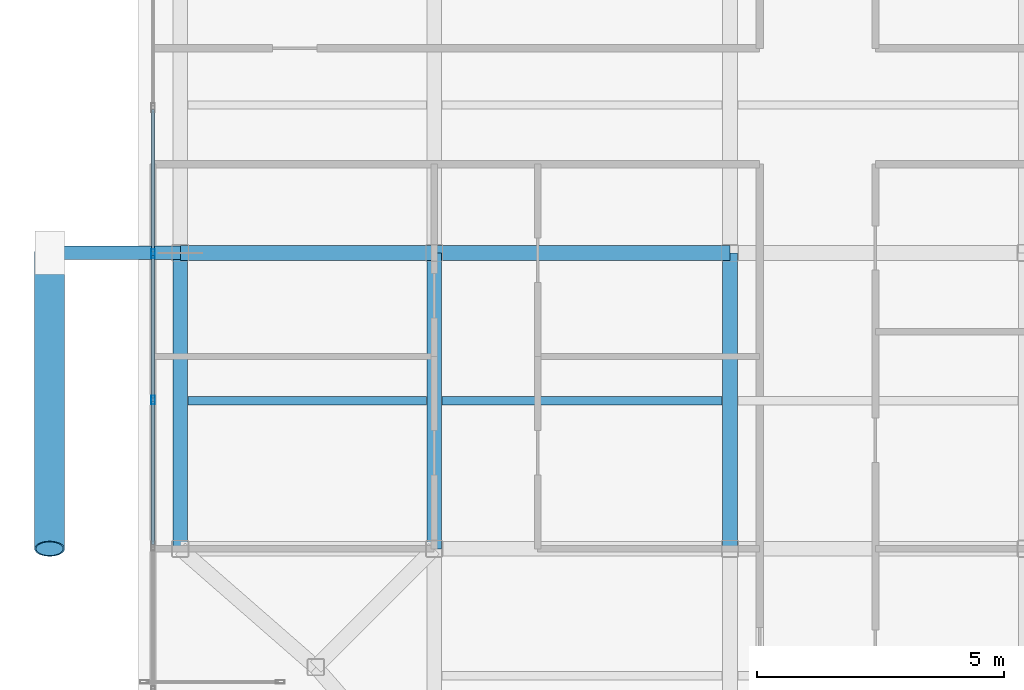
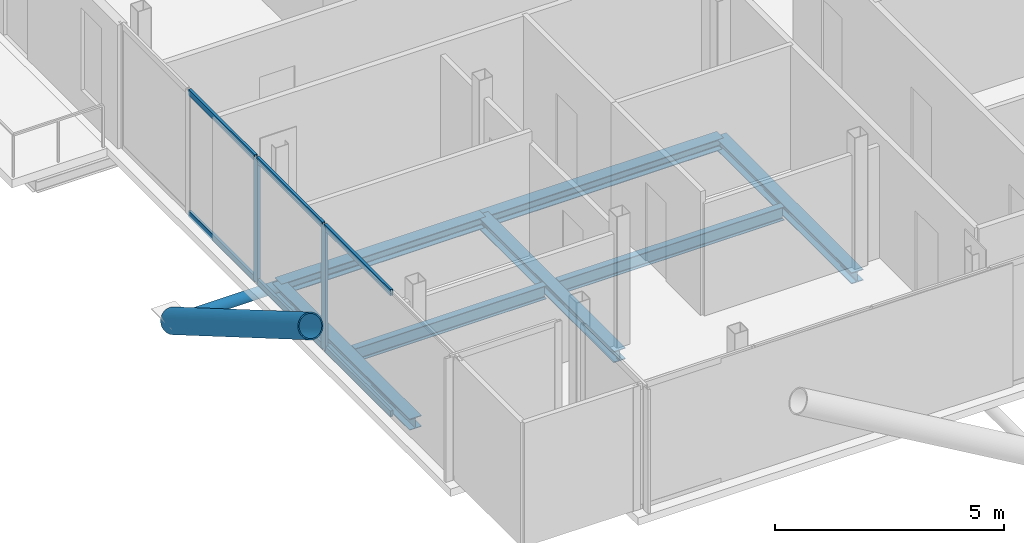
# One storey, part 3 of 18: 10 members, 7 beams, 1 element without a shape of its own.
"""IFC4 building model written with IfcOpenShell, lengths in metres."""

from ifc_helpers import new_model, si_unit, direction, frame, origin, origin_2d, place, context, subcontext, project, spatial, hollow_rectangle, hollow_circle, i_section, extrude, material, layer, layer_set, material_profile, profile_set, type_object, element, aggregate, save


model = new_model("IFC4")

# Units and contexts
model_context = context("Model", 3, precision=1e-05, world=origin(), true_north=direction((0.0, 1.0)))
body_context = subcontext(model_context, "Body", "Model", "MODEL_VIEW")
ifc_project = project(units=[si_unit("LENGTHUNIT", "METRE"), si_unit("AREAUNIT", "SQUARE_METRE"), si_unit("VOLUMEUNIT", "CUBIC_METRE"), si_unit("PLANEANGLEUNIT", "RADIAN"), si_unit("MASSUNIT", "GRAM", prefix="KILO"), si_unit("THERMODYNAMICTEMPERATUREUNIT", "KELVIN"), si_unit("POWERUNIT", "WATT")], contexts=[model_context])

# Site, building, storey
site_placement = place(None, origin())
site = spatial("IfcSite", under=ifc_project, at=site_placement, CompositionType="ELEMENT")
building_placement = place(site_placement, origin())
building = spatial("IfcBuilding", under=site, at=building_placement, Name="Svarakhadi Broadcast Tower", CompositionType="ELEMENT")
storey_placement = place(building_placement, frame((0.0, 0.0, 260.699951171875)))
storey = spatial("IfcBuildingStorey", under=building, at=storey_placement, Name="L65", CompositionType="ELEMENT", Elevation=260.699951171875)

# Beams
ifc_material_1 = material(Name="Steel S355J2 (IS 2062 E350C)", Category="steel")
ifc_material_profile_1 = material_profile(ifc_material_1, i_section(OverallWidth=0.169921875, OverallDepth=0.360107421875, WebThickness=0.008056640625, FlangeThickness=0.0126953125, FilletRadius=0.01806640625, at=origin_2d()), Name="NPB 360x170x57")
ifc_profile_set_1 = profile_set([ifc_material_profile_1], Name="Steel S355J2 (IS 2062 E350C)")
beam_type_1 = type_object("IfcBeamType", Name="Beam_NPB360", PredefinedType="BEAM", material=ifc_profile_set_1)
beam_1_placement = place(storey_placement, frame((1.010009765625, 9.0, -0.3798828125), z_axis=(1.0, 0.0, 0.0), x_axis=(0.0, 1.0, 0.0)))
element("IfcBeam", 1, at=beam_1_placement, inside=storey, type_object=beam_type_1, Name="L65 Secondary Composite Beam SB001", PredefinedType="BEAM", context=body_context, shape_type="SweptSolid", body=[
    extrude(i_section(OverallWidth=0.169921875, OverallDepth=0.360107421875, WebThickness=0.008056640625, FlangeThickness=0.0126953125, FilletRadius=0.01806640625, at=origin_2d()), origin(), (0.0, 0.0, 1.0), 4.830078125),
])
beam_2_placement = place(storey_placement, frame((6.159912109375, 9.0, -0.3798828125), z_axis=(1.0, 0.0, 0.0), x_axis=(0.0, 1.0, 0.0)))
element("IfcBeam", 2, at=beam_2_placement, inside=storey, type_object=beam_type_1, Name="L65 Secondary Composite Beam SB005", PredefinedType="BEAM", context=body_context, shape_type="SweptSolid", body=[
    extrude(i_section(OverallWidth=0.169921875, OverallDepth=0.360107421875, WebThickness=0.008056640625, FlangeThickness=0.0126953125, FilletRadius=0.01806640625, at=origin_2d()), origin(), (0.0, 0.0, 1.0), 5.68017578125),
])

# Curtain wall, members
ifc_material_2 = material(Name="Anodised Bronze Aluminium AA 6063-T6", Category="aluminium")
ifc_layer = layer(ifc_material_2, 0.179931640625)
ifc_layer_set = layer_set([ifc_layer], Name="Anodised Bronze Aluminium AA 6063-T6")
curtain_wall_type = type_object("IfcCurtainWallType", Name="CW_Sys_05", PredefinedType="NOTDEFINED", material=ifc_layer_set)
curtain_wall_placement = place(storey_placement, origin())
curtain_wall = element("IfcCurtainWall", 3, at=curtain_wall_placement, inside=storey, type_object=curtain_wall_type, Name="L65 West Curtain Wall 02", PredefinedType="NOTDEFINED")
ifc_material_profile_2 = material_profile(ifc_material_2, hollow_rectangle(XDim=0.070068359375, YDim=0.179931640625, WallThickness=0.005615234375, at=origin_2d()), Name="ALU MULLION 180x70x6")
ifc_profile_set_2 = profile_set([ifc_material_profile_2], Name="Anodised Bronze Aluminium AA 6063-T6")
member_type_1 = type_object("IfcMemberType", Name="CW_Sys_05_Mul", PredefinedType="MULLION", material=ifc_profile_set_2)
member_1_placement = place(storey_placement, frame((0.300048828125, 9.01806640625, 0.0), z_axis=(0.0, 0.0, 1.0), x_axis=(-1.0, 0.0, 0.0)))
member_1 = element("IfcMember", 4, at=member_1_placement, type_object=member_type_1, Name="CW-05 mullion 3", PredefinedType="MULLION", context=body_context, shape_type="SweptSolid", body=[
    extrude(hollow_rectangle(XDim=0.070068359375, YDim=0.179931640625, WallThickness=0.005615234375, at=origin_2d()), origin(), (0.0, 0.0, 1.0), 3.300048828125),
])
member_2_placement = place(storey_placement, frame((0.300048828125, 11.98193359375, 0.0), z_axis=(0.0, 0.0, 1.0), x_axis=(-1.0, 0.0, 0.0)))
member_2 = element("IfcMember", 5, at=member_2_placement, type_object=member_type_1, Name="CW-05 mullion 4", PredefinedType="MULLION", context=body_context, shape_type="SweptSolid", body=[
    extrude(hollow_rectangle(XDim=0.070068359375, YDim=0.179931640625, WallThickness=0.005615234375, at=origin_2d()), origin(), (0.0, 0.0, 1.0), 3.300048828125),
])
ifc_material_profile_3 = material_profile(ifc_material_2, hollow_rectangle(XDim=0.06494140625, YDim=0.1650390625, WallThickness=0.0048828125, at=origin_2d()), Name="ALU TRANSOM 165x65x5")
ifc_profile_set_3 = profile_set([ifc_material_profile_3], Name="Anodised Bronze Aluminium AA 6063-T6")
member_type_2 = type_object("IfcMemberType", Name="CW_Sys_05_Trn", PredefinedType="USERDEFINED", material=ifc_profile_set_3)
member_3_placement = place(storey_placement, frame((0.300048828125, 6.089111328125, 0.032470703125), z_axis=(0.0, 1.0, 0.0), x_axis=(-1.0, 0.0, 0.0)))
member_3 = element("IfcMember", 6, at=member_3_placement, type_object=member_type_2, Name="CW-05 transom 2.1", ObjectType="TRANSOM", PredefinedType="USERDEFINED", context=body_context, shape_type="SweptSolid", body=[
    extrude(hollow_rectangle(XDim=0.06494140625, YDim=0.1650390625, WallThickness=0.0048828125, at=origin_2d()), origin(), (0.0, 0.0, 1.0), 2.893798828125),
])
member_4_placement = place(storey_placement, frame((0.300048828125, 6.089111328125, 3.267578125), z_axis=(0.0, 1.0, 0.0), x_axis=(-1.0, 0.0, 0.0)))
member_4 = element("IfcMember", 7, at=member_4_placement, type_object=member_type_2, Name="CW-05 transom 2.2", ObjectType="TRANSOM", PredefinedType="USERDEFINED", context=body_context, shape_type="SweptSolid", body=[
    extrude(hollow_rectangle(XDim=0.06494140625, YDim=0.1650390625, WallThickness=0.0048828125, at=origin_2d()), origin(), (0.0, 0.0, 1.0), 2.893798828125),
])
member_5_placement = place(storey_placement, frame((0.300048828125, 9.052978515625, 0.032470703125), z_axis=(0.0, 1.0, 0.0), x_axis=(-1.0, 0.0, 0.0)))
member_5 = element("IfcMember", 8, at=member_5_placement, type_object=member_type_2, Name="CW-05 transom 3.1", ObjectType="TRANSOM", PredefinedType="USERDEFINED", context=body_context, shape_type="SweptSolid", body=[
    extrude(hollow_rectangle(XDim=0.06494140625, YDim=0.1650390625, WallThickness=0.0048828125, at=origin_2d()), origin(), (0.0, 0.0, 1.0), 2.89404296875),
])
member_6_placement = place(storey_placement, frame((0.300048828125, 9.052978515625, 3.267578125), z_axis=(0.0, 1.0, 0.0), x_axis=(-1.0, 0.0, 0.0)))
member_6 = element("IfcMember", 9, at=member_6_placement, type_object=member_type_2, Name="CW-05 transom 3.2", ObjectType="TRANSOM", PredefinedType="USERDEFINED", context=body_context, shape_type="SweptSolid", body=[
    extrude(hollow_rectangle(XDim=0.06494140625, YDim=0.1650390625, WallThickness=0.0048828125, at=origin_2d()), origin(), (0.0, 0.0, 1.0), 2.89404296875),
])
member_7_placement = place(storey_placement, frame((0.300048828125, 12.01708984375, 0.032470703125), z_axis=(0.0, 1.0, 0.0), x_axis=(-1.0, 0.0, 0.0)))
member_7 = element("IfcMember", 10, at=member_7_placement, type_object=member_type_2, Name="CW-05 transom 4.1", ObjectType="TRANSOM", PredefinedType="USERDEFINED", context=body_context, shape_type="SweptSolid", body=[
    extrude(hollow_rectangle(XDim=0.06494140625, YDim=0.1650390625, WallThickness=0.0048828125, at=origin_2d()), origin(), (0.0, 0.0, 1.0), 2.893798828125),
])
member_8_placement = place(storey_placement, frame((0.300048828125, 12.01708984375, 3.267578125), z_axis=(0.0, 1.0, 0.0), x_axis=(-1.0, 0.0, 0.0)))
member_8 = element("IfcMember", 11, at=member_8_placement, type_object=member_type_2, Name="CW-05 transom 4.2", ObjectType="TRANSOM", PredefinedType="USERDEFINED", context=body_context, shape_type="SweptSolid", body=[
    extrude(hollow_rectangle(XDim=0.06494140625, YDim=0.1650390625, WallThickness=0.0048828125, at=origin_2d()), origin(), (0.0, 0.0, 1.0), 2.893798828125),
])
aggregate(curtain_wall, [member_1, member_2, member_3, member_4, member_5, member_6, member_7, member_8])

# Members
ifc_material_3 = material(Name="Steel S460ML (IS 2062 E450BR)", Category="steel")
ifc_material_profile_4 = material_profile(ifc_material_3, hollow_circle(Radius=0.304931640625, WallThickness=0.030029296875, at=origin_2d()), Name="CHS 610x30")
ifc_profile_set_4 = profile_set([ifc_material_profile_4], Name="Steel S460ML (IS 2062 E450BR)")
member_type_3 = type_object("IfcMemberType", Name="Exo_Brace_CHS610", PredefinedType="BRACE", material=ifc_profile_set_4)
member_9_placement = place(storey_placement, frame((-1.800048828125, 12.0, -0.33642578125), z_axis=(0.0, -0.863778900898, 0.503871025524), x_axis=(1.0, 0.0, 0.0)))
element("IfcMember", 12, at=member_9_placement, inside=storey, type_object=member_type_3, Name="L65 Exposed Bronze Exoskeleton Diagonal W03", PredefinedType="BRACE", context=body_context, shape_type="SweptSolid", body=[
    extrude(hollow_circle(Radius=0.304931640625, WallThickness=0.030029296875, at=origin_2d()), origin(), (0.0, 0.0, 1.0), 6.9462890625),
])
ifc_material_profile_5 = material_profile(ifc_material_3, hollow_circle(Radius=0.136474609375, WallThickness=0.012451171875, at=origin_2d()), Name="CHS 273x12.5")
ifc_profile_set_5 = profile_set([ifc_material_profile_5], Name="Steel S460ML (IS 2062 E450BR)")
member_type_4 = type_object("IfcMemberType", Name="Exo_Radial_Strut_Z3", PredefinedType="STRUT", material=ifc_profile_set_5)
member_10_placement = place(storey_placement, frame((-1.800048828125, 12.0, -0.33642578125), z_axis=(1.0, 0.0, 0.0), x_axis=(0.0, 1.0, 0.0)))
element("IfcMember", 13, at=member_10_placement, inside=storey, type_object=member_type_4, Name="L65 Exoskeleton Radial Tie Strut W02", PredefinedType="STRUT", context=body_context, shape_type="SweptSolid", body=[
    extrude(hollow_circle(Radius=0.136474609375, WallThickness=0.012451171875, at=origin_2d()), origin(), (0.0, 0.0, 1.0), 2.650146484375),
])

# Beams
ifc_material_profile_6 = material_profile(ifc_material_1, i_section(OverallWidth=0.300048828125, OverallDepth=0.300048828125, WebThickness=0.010986328125, FlangeThickness=0.01904296875, FilletRadius=0.027099609375, at=origin_2d()), Name="WPB 300x300x117")
ifc_profile_set_6 = profile_set([ifc_material_profile_6], Name="Steel S355J2 (IS 2062 E350C)")
beam_type_2 = type_object("IfcBeamType", Name="Girder_WPB300", PredefinedType="USERDEFINED", material=ifc_profile_set_6)
beam_3_placement = place(storey_placement, frame((0.85009765625, 12.0, -0.349853515625), z_axis=(1.0, 0.0, 0.0), x_axis=(0.0, 1.0, 0.0)))
element("IfcBeam", 14, at=beam_3_placement, inside=storey, type_object=beam_type_2, Name="L65 Primary E-W Girder G013", ObjectType="GIRDER", PredefinedType="USERDEFINED", context=body_context, shape_type="SweptSolid", body=[
    extrude(i_section(OverallWidth=0.300048828125, OverallDepth=0.300048828125, WebThickness=0.010986328125, FlangeThickness=0.01904296875, FilletRadius=0.027099609375, at=origin_2d()), origin(), (0.0, 0.0, 1.0), 5.14990234375),
])
for number, where, z_axis, x_axis, name in (
    (15, (6.0, 12.0, -0.349853515625), (1.0, 0.0, 0.0), (0.0, 1.0, 0.0), "L65 Primary E-W Girder G014"),
    (16, (0.85009765625, 6.0, -0.349853515625), (0.0, 1.0, 0.0), (-1.0, 0.0, 0.0), "L65 Primary N-S Girder G026"),
    (17, (6.0, 6.0, -0.349853515625), (0.0, 1.0, 0.0), (-1.0, 0.0, 0.0), "L65 Primary N-S Girder G030"),
    (18, (12.0, 6.0, -0.349853515625), (0.0, 1.0, 0.0), (-1.0, 0.0, 0.0), "L65 Primary N-S Girder G034"),
):
    element("IfcBeam", number, at=place(storey_placement, frame(where, z_axis=z_axis, x_axis=x_axis)), inside=storey, type_object=beam_type_2, Name=name, ObjectType="GIRDER", PredefinedType="USERDEFINED", context=body_context, shape_type="SweptSolid", body=[
        extrude(i_section(OverallWidth=0.300048828125, OverallDepth=0.300048828125, WebThickness=0.010986328125, FlangeThickness=0.01904296875, FilletRadius=0.027099609375, at=origin_2d()), origin(), (0.0, 0.0, 1.0), 6.0),
    ])

save(model, "model.ifc")
